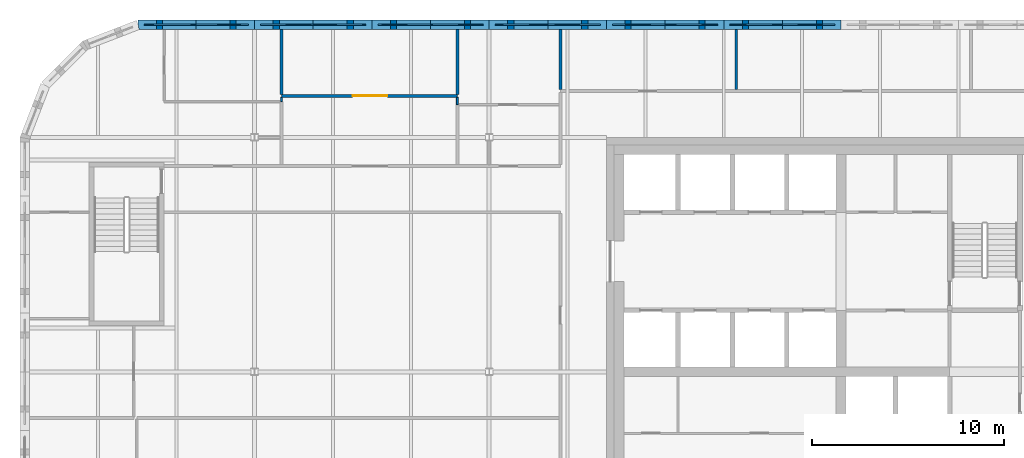
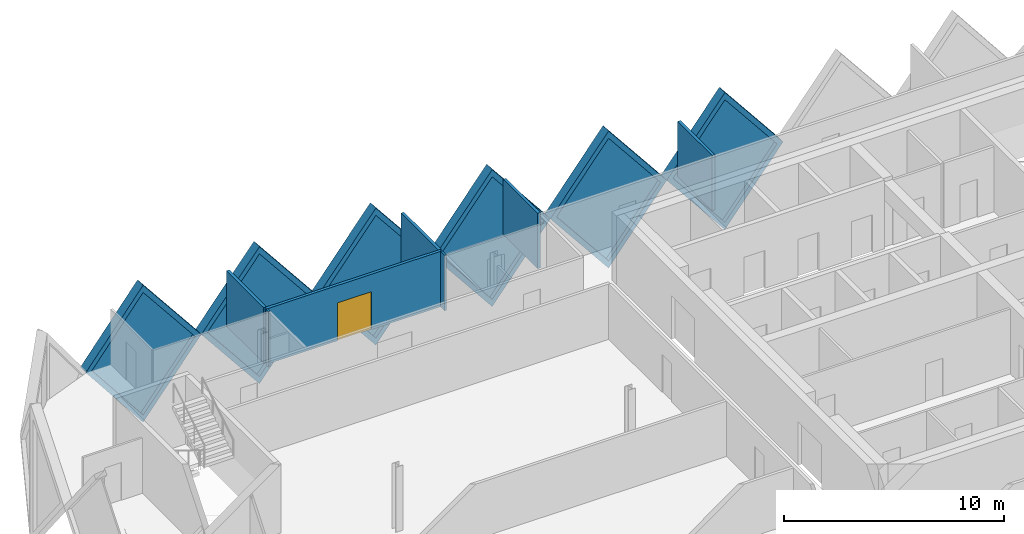
# One storey, part 9 of 11: 13 walls, 6 plates, 1 door, 7 openings.
"""IFC4 building model written with IfcOpenShell, lengths in metres."""

from ifc_helpers import new_model, si_unit, direction, frame, frame_2d, origin, place, context, subcontext, project, spatial, polyline, rectangle, outline, extrude, faceted_brep, source, transform, mapped, material, layer, layer_set, type_object, element, fill, save


model = new_model("IFC4")

# Units and contexts
model_context = context("Model", 3, precision=1e-05, world=origin(), true_north=direction((0.0, 1.0)))
body_context = subcontext(model_context, "Body", "Model", "MODEL_VIEW")
ifc_project = project(units=[si_unit("LENGTHUNIT", "METRE"), si_unit("AREAUNIT", "SQUARE_METRE"), si_unit("VOLUMEUNIT", "CUBIC_METRE"), si_unit("PLANEANGLEUNIT", "RADIAN"), si_unit("MASSUNIT", "GRAM", prefix="KILO")], contexts=[model_context])

# Site, building, storey
site_placement = place(None, origin())
site = spatial("IfcSite", under=ifc_project, at=site_placement, CompositionType="ELEMENT")
building_placement = place(site_placement, origin())
building = spatial("IfcBuilding", under=site, at=building_placement, Name="Tessera Gate Towers", CompositionType="ELEMENT")
storey_placement = place(building_placement, frame((0.0, 0.0, 240.699951171875)))
storey = spatial("IfcBuildingStorey", under=building, at=storey_placement, Name="L60", CompositionType="ELEMENT", Elevation=240.699951171875)

# Walls
ifc_material_1 = material(Name="Glass", Category="glass")
ifc_layer_1 = layer(ifc_material_1, 0.10009765625)
ifc_layer_set_1 = layer_set([ifc_layer_1], Name="GLAZED PARTITION 100")
wall_type_1 = type_object("IfcWallType", Name="GLAZED PARTITION 100", PredefinedType="PARTITIONING", material=ifc_layer_set_1)
wall_1_placement = place(storey_placement, frame((22.75, 50.5009765625, 0.0), z_axis=(0.0, 0.0, 1.0), x_axis=(0.0, 1.0, 0.0)))
element("IfcWall", 1, at=wall_1_placement, inside=storey, type_object=wall_type_1, Name="T1-L60-PW-025", PredefinedType="PARTITIONING", context=body_context, shape_type="SweptSolid", body=[
    extrude(rectangle(XDim=0.373046875, YDim=0.10009765625, at=frame_2d((0.1865234375, 0.0))), origin(), (0.0, 0.0, 1.0), 3.067138671875),
])
wall_2_placement = place(storey_placement, frame((13.60009765625, 50.65087890625, 0.0), z_axis=(0.0, 0.0, 1.0), x_axis=(0.0, 1.0, 0.0)))
element("IfcWall", 2, at=wall_2_placement, inside=storey, type_object=wall_type_1, Name="T1-L60-PW-028", PredefinedType="PARTITIONING", context=body_context, shape_type="SweptSolid", body=[
    extrude(rectangle(XDim=0.22314453125, YDim=0.10009765625, at=frame_2d((0.111572265625, 0.0))), origin(), (0.0, 0.0, 1.0), 3.067138671875),
])

# Wall, opening, door
ifc_material_2 = material(Name="Gypsum board on steel studs, mineral wool", Category="steel")
ifc_layer_2 = layer(ifc_material_2, 0.14990234375)
ifc_layer_set_2 = layer_set([ifc_layer_2], Name="TENANCY WALL 150")
wall_type_2 = type_object("IfcWallType", Name="TENANCY WALL 150", PredefinedType="PARTITIONING", material=ifc_layer_set_2)
wall_3_placement = place(storey_placement, frame((13.60009765625, 50.949951171875, 0.0), z_axis=(0.0, 0.0, 1.0), x_axis=(1.0, 0.0, 0.0)))
wall_3 = element("IfcWall", 3, at=wall_3_placement, inside=storey, type_object=wall_type_2, Name="T1-L60-PW-030", PredefinedType="PARTITIONING", context=body_context, shape_type="SweptSolid", body=[
    extrude(rectangle(XDim=9.14990234375, YDim=0.14990234375, at=frame_2d((4.574951171875, 0.0))), origin(), (0.0, 0.0, 1.0), 3.067138671875),
])
shared_shape_1 = source(origin(), body_context, "Body", "SweptSolid", [
    extrude(rectangle(XDim=1.800048828125, YDim=2.10009765625, at=frame_2d((0.89990234375, 1.050048828125))), frame((0.0, 0.0849609375, 0.0), z_axis=(0.0, -1.0, 0.0), x_axis=(1.0, 0.0, 0.0)), (0.0, 0.0, 1.0), 0.169921875),
])
opening_1_placement = place(wall_3_placement, frame((3.699951171875, 0.0, 0.0)))
opening_1 = element("IfcOpeningElement", 4, at=opening_1_placement, cuts=wall_3, Name="Opening D7180-A21-01", PredefinedType="OPENING", context=body_context, shape_type="MappedRepresentation", body=[
    mapped(shared_shape_1, transform((0.0, 0.0, 0.0), scale=1.0)),
])
ifc_material_3 = material(Name="Timber door leaf in steel frame", Category="steel")
door_type = type_object("IfcDoorType", Name="DOUBLE DOOR 1800 NOT RATED", OperationType="NOTDEFINED", PredefinedType="DOOR", material=ifc_material_3)
shared_shape_2 = source(origin(), body_context, "Body", "SweptSolid", [
    extrude(rectangle(XDim=1.800048828125, YDim=2.10009765625, at=frame_2d((0.89990234375, 1.050048828125))), frame((0.0, 0.02490234375, 0.0), z_axis=(0.0, -1.0, 0.0), x_axis=(1.0, 0.0, 0.0)), (0.0, 0.0, 1.0), 0.050048828125),
])
door_placement = place(opening_1_placement, origin())
door = element("IfcDoor", 5, at=door_placement, inside=storey, type_object=door_type, Name="T1-L60-PD-013", OperationType="DOUBLE_DOOR_SINGLE_SWING", OverallHeight=2.10009765625, OverallWidth=1.800048828125, PredefinedType="DOOR", context=body_context, shape_type="MappedRepresentation", body=[
    mapped(shared_shape_2, transform((0.0, 0.0, 0.0), scale=1.0)),
])
fill(opening_1, door)

# Walls
for number, where, z_axis, x_axis, name in (
    (6, (13.60009765625, 51.02587890625, 0.0), (0.0, 0.0, 1.0), (0.0, 1.0, 0.0), "T1-L60-PW-031"),
    (7, (22.75, 51.02587890625, 0.0), (0.0, 0.0, 1.0), (0.0, 1.0, 0.0), "T1-L60-PW-032"),
):
    element("IfcWall", number, at=place(storey_placement, frame(where, z_axis=z_axis, x_axis=x_axis)), inside=storey, type_object=wall_type_2, Name=name, PredefinedType="PARTITIONING", context=body_context, shape_type="SweptSolid", body=[
        extrude(rectangle(XDim=3.3740234375, YDim=0.14990234375, at=frame_2d((1.68701171875, 0.0))), origin(), (0.0, 0.0, 1.0), 3.067138671875),
    ])
for number, where, z_axis, x_axis, name in (
    (8, (28.10009765625, 51.27587890625, 0.0), (0.0, 0.0, 1.0), (0.0, 1.0, 0.0), "T1-L60-PW-034"),
    (9, (37.25, 51.27587890625, 0.0), (0.0, 0.0, 1.0), (0.0, 1.0, 0.0), "T1-L60-PW-035"),
):
    element("IfcWall", number, at=place(storey_placement, frame(where, z_axis=z_axis, x_axis=x_axis)), inside=storey, type_object=wall_type_2, Name=name, PredefinedType="PARTITIONING", context=body_context, shape_type="SweptSolid", body=[
        extrude(rectangle(XDim=3.1240234375, YDim=0.14990234375, at=frame_2d((1.56201171875, 0.0))), origin(), (0.0, 0.0, 1.0), 3.067138671875),
    ])

# Wall, opening, plate
ifc_material_4 = material(Name="Precast concrete C60/75 white", Category="concrete")
ifc_layer_3 = layer(ifc_material_4, 0.5)
ifc_layer_set_3 = layer_set([ifc_layer_3], Name="TS1 tessera")
wall_type_3 = type_object("IfcWallType", Name="TS1 tessera", PredefinedType="SOLIDWALL", material=ifc_layer_set_3)
shared_shape_3 = source(origin(), body_context, "Body", "Brep", [
    faceted_brep([(3.050048828125, -0.25, 0.0), (6.099853515625, -0.25, 3.7998046875), (6.099853515625, -0.25, 3.80029296875), (3.050048828125, -0.25, 7.60009765625), (0.0, -0.25, 3.800048828125), (0.0, 0.25, 3.800048828125), (3.050048828125, 0.25, 7.60009765625), (6.099853515625, 0.25, 3.80029296875), (6.099853515625, 0.25, 3.7998046875), (3.050048828125, 0.25, 0.0)], [[[0, 1, 2, 3, 4]], [[5, 6, 7, 8, 9]], [[9, 8, 1, 0]], [[7, 6, 3, 2]], [[6, 5, 4, 3]], [[5, 9, 0, 4]], [[1, 8, 7, 2]]]),
])
wall_4_placement = place(storey_placement, frame((42.699951171875, 54.64990234375, -3.800048828125), z_axis=(0.0, 0.0, 1.0), x_axis=(-1.0, 0.0, 0.0)))
wall_4 = element("IfcWall", 10, at=wall_4_placement, inside=storey, type_object=wall_type_3, Name="Precast tessera T1 TS1-1048", PredefinedType="SOLIDWALL", context=body_context, shape_type="MappedRepresentation", body=[
    mapped(shared_shape_3, transform((0.0, 0.0, 0.0), scale=1.0)),
])
shared_shape_4 = source(origin(), body_context, "Body", "SweptSolid", [
    extrude(outline(polyline([(3.050048828125, 0.3994140625), (5.779541015625, 3.800048828125), (3.050048828125, 7.20068359375), (0.320556640625, 3.800048828125), (3.050048828125, 0.3994140625)])), frame((0.0, 0.260009765625, 0.0), z_axis=(0.0, -1.0, 0.0), x_axis=(1.0, 0.0, 0.0)), (0.0, 0.0, 1.0), 0.52001953125),
])
opening_2_placement = place(wall_4_placement, origin())
opening_2 = element("IfcOpeningElement", 11, at=opening_2_placement, cuts=wall_4, Name="Opening T1-PL2-2140", PredefinedType="OPENING", context=body_context, shape_type="MappedRepresentation", body=[
    mapped(shared_shape_4, transform((0.0, 0.0, 0.0), scale=1.0)),
])
ifc_material_5 = material(Name="Low-e laminated glass", Category="glass")
ifc_layer_4 = layer(ifc_material_5, 0.06005859375)
ifc_layer_set_4 = layer_set([ifc_layer_4], Name="PL2 rhombic pane")
plate_type = type_object("IfcPlateType", Name="PL2 rhombic pane", PredefinedType="SHEET", material=ifc_layer_set_4)
shared_shape_5 = source(origin(), body_context, "Body", "SweptSolid", [
    extrude(outline(polyline([(3.050048828125, 0.3994140625), (5.779541015625, 3.800048828125), (3.050048828125, 7.20068359375), (0.320556640625, 3.800048828125), (3.050048828125, 0.3994140625)])), frame((0.0, 0.030029296875, 0.0), z_axis=(0.0, -1.0, 0.0), x_axis=(1.0, 0.0, 0.0)), (0.0, 0.0, 1.0), 0.06005859375),
])
plate_1_placement = place(opening_2_placement, origin())
plate_1 = element("IfcPlate", 12, at=plate_1_placement, inside=storey, type_object=plate_type, Name="Glass pane T1 PL2-2140", PredefinedType="SHEET", context=body_context, shape_type="MappedRepresentation", body=[
    mapped(shared_shape_5, transform((0.0, 0.0, 0.0), scale=1.0)),
])
fill(opening_2, plate_1)

wall_5_placement = place(storey_placement, frame((24.39990234375, 54.64990234375, -3.800048828125), z_axis=(0.0, 0.0, 1.0), x_axis=(-1.0, 0.0, 0.0)))
wall_5 = element("IfcWall", 13, at=wall_5_placement, inside=storey, type_object=wall_type_3, Name="Precast tessera T1 TS1-1051", PredefinedType="SOLIDWALL", context=body_context, shape_type="MappedRepresentation", body=[
    mapped(shared_shape_3, transform((0.0, 0.0, 0.0), scale=1.0)),
])
opening_3_placement = place(wall_5_placement, origin())
opening_3 = element("IfcOpeningElement", 14, at=opening_3_placement, cuts=wall_5, Name="Opening T1-PL2-2143", PredefinedType="OPENING", context=body_context, shape_type="MappedRepresentation", body=[
    mapped(shared_shape_4, transform((0.0, 0.0, 0.0), scale=1.0)),
])
plate_2_placement = place(opening_3_placement, origin())
plate_2 = element("IfcPlate", 15, at=plate_2_placement, inside=storey, type_object=plate_type, Name="Glass pane T1 PL2-2143", PredefinedType="SHEET", context=body_context, shape_type="MappedRepresentation", body=[
    mapped(shared_shape_5, transform((0.0, 0.0, 0.0), scale=1.0)),
])
fill(opening_3, plate_2)

shared_shape_6 = source(origin(), body_context, "Body", "SweptSolid", [
    extrude(outline(polyline([(3.050048828125, 0.0), (6.10009765625, 3.800048828125), (3.050048828125, 7.60009765625), (0.0, 3.800048828125), (3.050048828125, 0.0)])), frame((0.0, 0.25, 0.0), z_axis=(0.0, -1.0, 0.0), x_axis=(1.0, 0.0, 0.0)), (0.0, 0.0, 1.0), 0.5),
])
wall_6_placement = place(storey_placement, frame((36.60009765625, 54.64990234375, -3.800048828125), z_axis=(0.0, 0.0, 1.0), x_axis=(-1.0, 0.0, 0.0)))
wall_6 = element("IfcWall", 16, at=wall_6_placement, inside=storey, type_object=wall_type_3, Name="Precast tessera T1 TS1-1049", PredefinedType="SOLIDWALL", context=body_context, shape_type="MappedRepresentation", body=[
    mapped(shared_shape_6, transform((0.0, 0.0, 0.0), scale=1.0)),
])
opening_4_placement = place(wall_6_placement, origin())
opening_4 = element("IfcOpeningElement", 17, at=opening_4_placement, cuts=wall_6, Name="Opening T1-PL2-2141", PredefinedType="OPENING", context=body_context, shape_type="MappedRepresentation", body=[
    mapped(shared_shape_4, transform((0.0, 0.0, 0.0), scale=1.0)),
])
plate_3_placement = place(opening_4_placement, origin())
plate_3 = element("IfcPlate", 18, at=plate_3_placement, inside=storey, type_object=plate_type, Name="Glass pane T1 PL2-2141", PredefinedType="SHEET", context=body_context, shape_type="MappedRepresentation", body=[
    mapped(shared_shape_5, transform((0.0, 0.0, 0.0), scale=1.0)),
])
fill(opening_4, plate_3)

wall_7_placement = place(storey_placement, frame((30.5, 54.64990234375, -3.800048828125), z_axis=(0.0, 0.0, 1.0), x_axis=(-1.0, 0.0, 0.0)))
wall_7 = element("IfcWall", 19, at=wall_7_placement, inside=storey, type_object=wall_type_3, Name="Precast tessera T1 TS1-1050", PredefinedType="SOLIDWALL", context=body_context, shape_type="MappedRepresentation", body=[
    mapped(shared_shape_6, transform((0.0, 0.0, 0.0), scale=1.0)),
])
opening_5_placement = place(wall_7_placement, origin())
opening_5 = element("IfcOpeningElement", 20, at=opening_5_placement, cuts=wall_7, Name="Opening T1-PL2-2142", PredefinedType="OPENING", context=body_context, shape_type="MappedRepresentation", body=[
    mapped(shared_shape_4, transform((0.0, 0.0, 0.0), scale=1.0)),
])
plate_4_placement = place(opening_5_placement, origin())
plate_4 = element("IfcPlate", 21, at=plate_4_placement, inside=storey, type_object=plate_type, Name="Glass pane T1 PL2-2142", PredefinedType="SHEET", context=body_context, shape_type="MappedRepresentation", body=[
    mapped(shared_shape_5, transform((0.0, 0.0, 0.0), scale=1.0)),
])
fill(opening_5, plate_4)

wall_8_placement = place(storey_placement, frame((18.300048828125, 54.64990234375, -3.800048828125), z_axis=(0.0, 0.0, 1.0), x_axis=(-1.0, 0.0, 0.0)))
wall_8 = element("IfcWall", 22, at=wall_8_placement, inside=storey, type_object=wall_type_3, Name="Precast tessera T1 TS1-1052", PredefinedType="SOLIDWALL", context=body_context, shape_type="MappedRepresentation", body=[
    mapped(shared_shape_6, transform((0.0, 0.0, 0.0), scale=1.0)),
])
opening_6_placement = place(wall_8_placement, origin())
opening_6 = element("IfcOpeningElement", 23, at=opening_6_placement, cuts=wall_8, Name="Opening T1-PL2-2144", PredefinedType="OPENING", context=body_context, shape_type="MappedRepresentation", body=[
    mapped(shared_shape_4, transform((0.0, 0.0, 0.0), scale=1.0)),
])
plate_5_placement = place(opening_6_placement, origin())
plate_5 = element("IfcPlate", 24, at=plate_5_placement, inside=storey, type_object=plate_type, Name="Glass pane T1 PL2-2144", PredefinedType="SHEET", context=body_context, shape_type="MappedRepresentation", body=[
    mapped(shared_shape_5, transform((0.0, 0.0, 0.0), scale=1.0)),
])
fill(opening_6, plate_5)

shared_shape_7 = source(origin(), body_context, "Body", "Brep", [
    faceted_brep([(3.050048828125, -0.25, 0.0), (6.053466796875, -0.25, 3.800048828125), (3.050048828125, -0.25, 7.60009765625), (0.0, -0.25, 3.800048828125), (0.0, 0.25, 3.800048828125), (3.050048828125, 0.25, 7.60009765625), (6.0068359375, 0.25, 3.85888671875), (6.0068359375, 0.25, 3.7412109375), (3.050048828125, 0.25, 0.0), (6.053466796875, 0.0, 3.800048828125)], [[[0, 1, 2, 3]], [[4, 5, 6, 7, 8]], [[8, 7, 9, 1, 0]], [[6, 5, 2, 1, 9]], [[5, 4, 3, 2]], [[4, 8, 0, 3]], [[9, 7, 6]]]),
])
wall_9_placement = place(storey_placement, frame((12.199951171875, 54.64990234375, -3.800048828125), z_axis=(0.0, 0.0, 1.0), x_axis=(-1.0, 0.0, 0.0)))
wall_9 = element("IfcWall", 25, at=wall_9_placement, inside=storey, type_object=wall_type_3, Name="Precast tessera T1 TS1-1053", PredefinedType="SOLIDWALL", context=body_context, shape_type="MappedRepresentation", body=[
    mapped(shared_shape_7, transform((0.0, 0.0, 0.0), scale=1.0)),
])
shared_shape_8 = source(origin(), body_context, "Body", "SweptSolid", [
    extrude(outline(polyline([(3.048583984375, 0.4013671875), (5.73486328125, 3.800048828125), (3.048583984375, 7.19873046875), (0.320556640625, 3.800048828125), (3.048583984375, 0.4013671875)])), frame((0.0, 0.260009765625, 0.0), z_axis=(0.0, -1.0, 0.0), x_axis=(1.0, 0.0, 0.0)), (0.0, 0.0, 1.0), 0.52001953125),
])
opening_7_placement = place(wall_9_placement, origin())
opening_7 = element("IfcOpeningElement", 26, at=opening_7_placement, cuts=wall_9, Name="Opening T1-PL2-2145", PredefinedType="OPENING", context=body_context, shape_type="MappedRepresentation", body=[
    mapped(shared_shape_8, transform((0.0, 0.0, 0.0), scale=1.0)),
])
shared_shape_9 = source(origin(), body_context, "Body", "SweptSolid", [
    extrude(outline(polyline([(3.048583984375, 0.4013671875), (5.73486328125, 3.800048828125), (3.048583984375, 7.19873046875), (0.320556640625, 3.800048828125), (3.048583984375, 0.4013671875)])), frame((0.0, 0.030029296875, 0.0), z_axis=(0.0, -1.0, 0.0), x_axis=(1.0, 0.0, 0.0)), (0.0, 0.0, 1.0), 0.06005859375),
])
plate_6_placement = place(opening_7_placement, origin())
plate_6 = element("IfcPlate", 27, at=plate_6_placement, inside=storey, type_object=plate_type, Name="Glass pane T1 PL2-2145", PredefinedType="SHEET", context=body_context, shape_type="MappedRepresentation", body=[
    mapped(shared_shape_9, transform((0.0, 0.0, 0.0), scale=1.0)),
])
fill(opening_7, plate_6)

save(model, "model.ifc")
